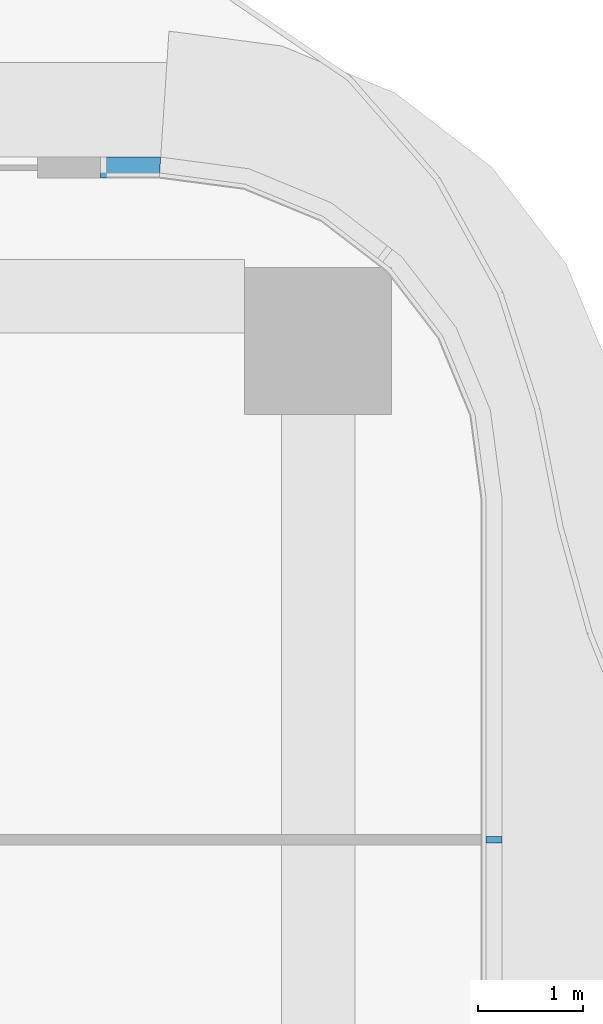
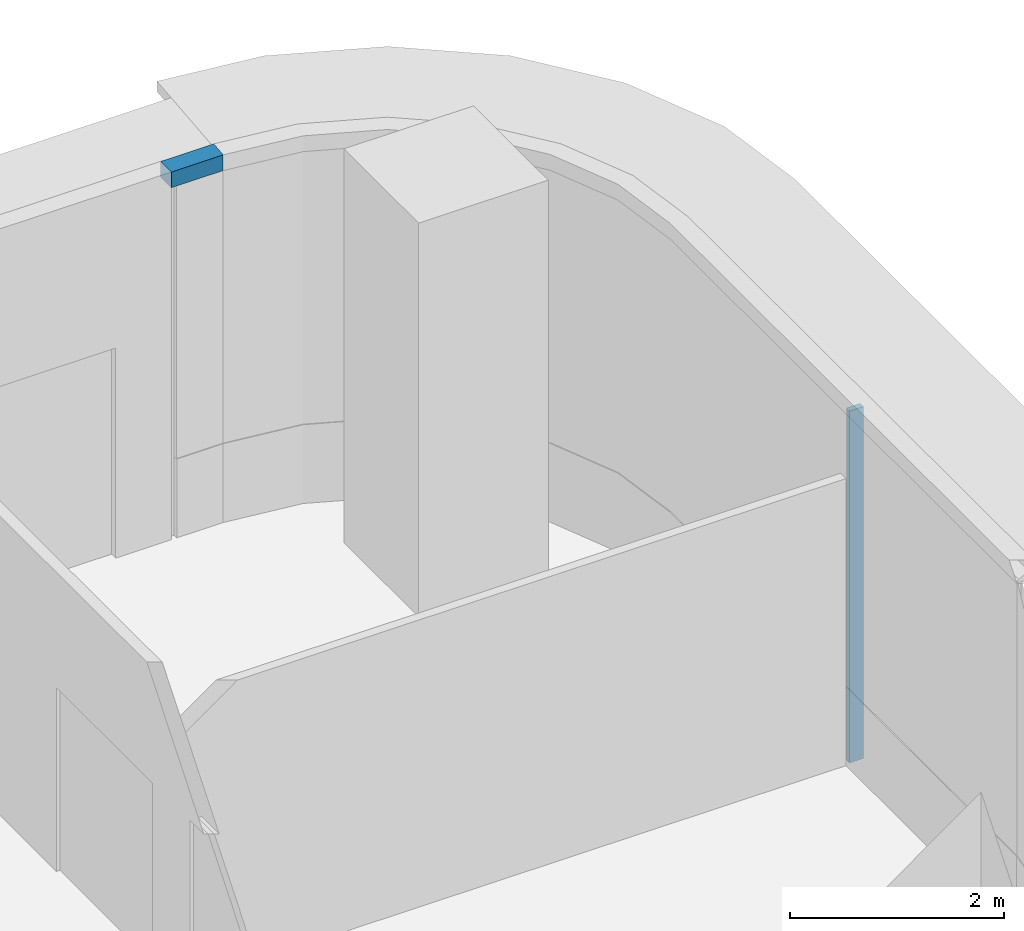
# One storey, part 13 of 22: 2 members, 2 elements without a shape of their own.
"""IFC4 building model written with IfcOpenShell, lengths in metres."""

from ifc_helpers import new_model, si_unit, direction, frame, origin, origin_2d, place, context, subcontext, project, spatial, polyline, rectangle, outline, extrude, source, transform, mapped, material, layer, layer_set, material_profile, profile_set, type_object, element, aggregate, save


model = new_model("IFC4")

# Units and contexts
model_context = context("Model", 3, precision=1e-05, world=origin(), true_north=direction((0.0, 1.0)))
body_context = subcontext(model_context, "Body", "Model", "MODEL_VIEW")
ifc_project = project(units=[si_unit("LENGTHUNIT", "METRE"), si_unit("AREAUNIT", "SQUARE_METRE"), si_unit("VOLUMEUNIT", "CUBIC_METRE"), si_unit("PLANEANGLEUNIT", "RADIAN"), si_unit("MASSUNIT", "GRAM", prefix="KILO")], contexts=[model_context])

# Site, building, storey
site_placement = place(None, origin())
site = spatial("IfcSite", under=ifc_project, at=site_placement, CompositionType="ELEMENT")
building_placement = place(site_placement, origin())
building = spatial("IfcBuilding", under=site, at=building_placement, Name="Trellis Farm Tower", CompositionType="ELEMENT")
storey_placement = place(building_placement, frame((0.0, 0.0, 88.0)))
storey = spatial("IfcBuildingStorey", under=building, at=storey_placement, Name="L18", CompositionType="ELEMENT", Elevation=88.0)

# Curtain wall, member
ifc_material_1 = material(Name="Aluminium and glass curtain wall", Category="aluminium")
ifc_layer_1 = layer(ifc_material_1, 0.18994140625)
ifc_layer_set_1 = layer_set([ifc_layer_1], Name="RIBBON CURTAIN WALL CW1")
curtain_wall_type = type_object("IfcCurtainWallType", Name="RIBBON CURTAIN WALL CW1", PredefinedType="NOTDEFINED", material=ifc_layer_set_1)
placement = place(storey_placement, origin())
curtain_wall_1 = element("IfcCurtainWall", 1, at=placement, inside=storey, type_object=curtain_wall_type, Name="CW1 007", PredefinedType="NOTDEFINED")
ifc_material_2 = material(Name="Aluminium extrusion 6063-T6", Category="aluminium")
ifc_layer_2 = layer(ifc_material_2, 0.199951171875)
ifc_layer_set_2 = layer_set([ifc_layer_2], Name="Aluminium extrusion 6063-T6")
member_type_1 = type_object("IfcMemberType", Name="CW1 TRANSOM 200x180", PredefinedType="USERDEFINED", material=ifc_layer_set_2)
member_1_placement = place(storey_placement, frame((0.0, 0.0, 4.02001953125)))
member_1 = element("IfcMember", 2, at=member_1_placement, type_object=member_type_1, Name="TR1 007", ObjectType="TRANSOM", PredefinedType="USERDEFINED", context=body_context, shape_type="SweptSolid", body=[
    extrude(outline(polyline([(29.25, 6.5), (28.675048828125, 6.5), (28.675048828125, 6.300048828125), (29.23681640625, 6.300048828125), (29.25, 6.5)])), origin(), (0.0, 0.0, 1.0), 0.179931640625),
])
aggregate(curtain_wall_1, [member_1])

curtain_wall_2 = element("IfcCurtainWall", 3, at=placement, inside=storey, type_object=curtain_wall_type, Name="CW1 006", PredefinedType="NOTDEFINED")
ifc_material_profile = material_profile(ifc_material_2, rectangle(XDim=0.06005859375, YDim=0.14990234375, at=origin_2d()), Name="MULLION 60x150")
ifc_profile_set = profile_set([ifc_material_profile], Name="Aluminium extrusion 6063-T6")
member_type_2 = type_object("IfcMemberType", Name="CW1 MULLION 60x150", PredefinedType="MULLION", material=ifc_profile_set)
shared_shape = source(origin(), body_context, "Body", "SweptSolid", [
    extrude(rectangle(XDim=0.06005859375, YDim=0.14990234375, at=origin_2d()), origin(), (0.0, 0.0, 1.0), 4.02001953125),
])
member_2_placement = place(storey_placement, frame((32.425048828125, 0.0, 0.0), z_axis=(0.0, 0.0, 1.0), x_axis=(0.0, 1.0, 0.0)))
member_2 = element("IfcMember", 4, at=member_2_placement, type_object=member_type_2, Name="MU1 006-01", PredefinedType="MULLION", context=body_context, shape_type="MappedRepresentation", body=[
    mapped(shared_shape, transform((0.0, 0.0, 0.0))),
])
aggregate(curtain_wall_2, [member_2])

save(model, "model.ifc")
